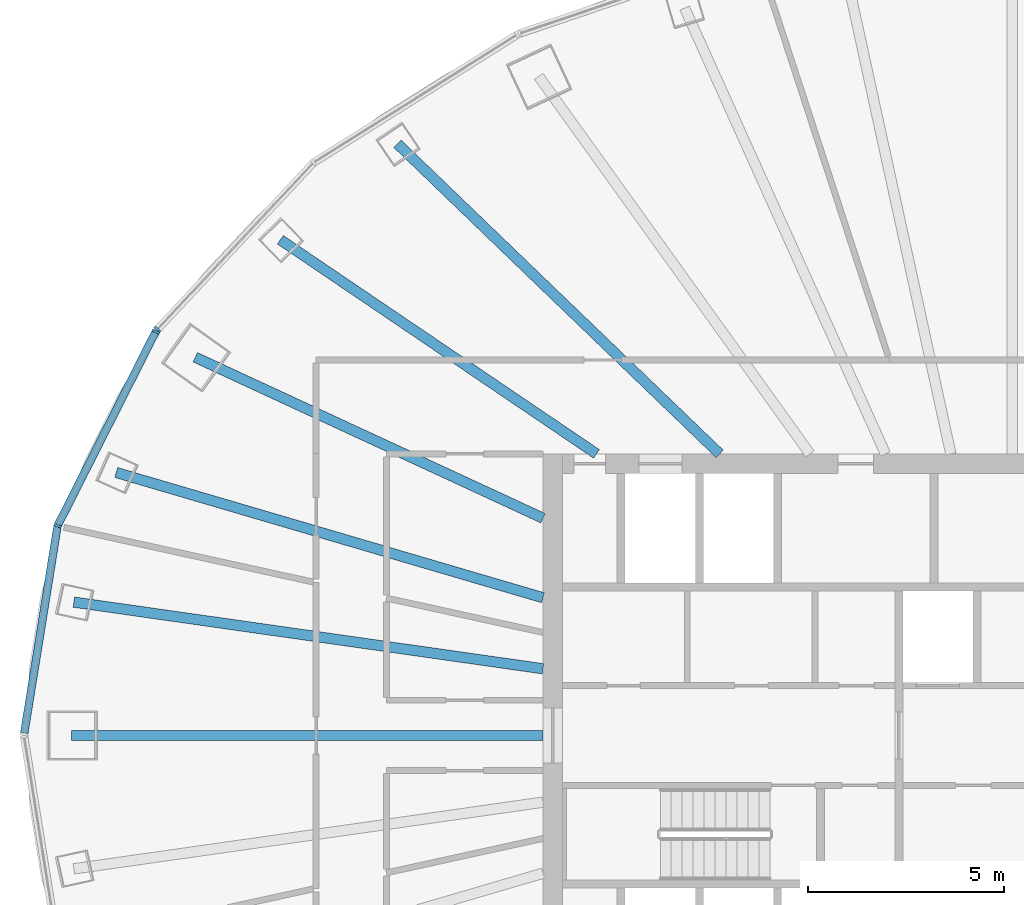
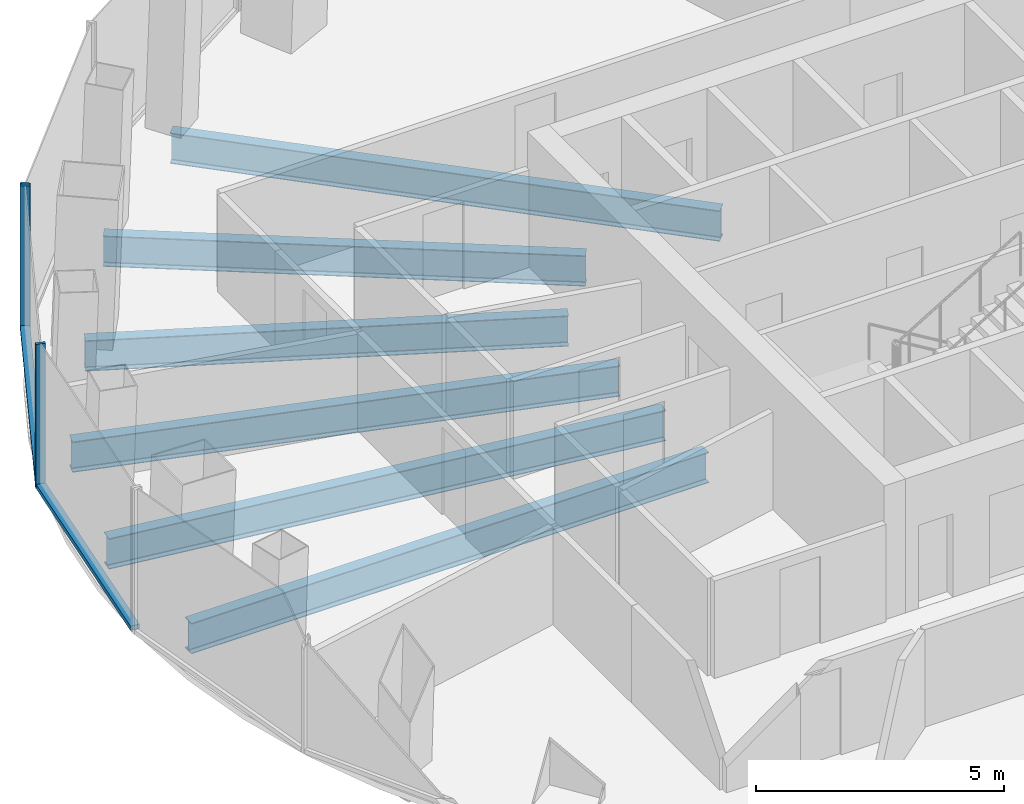
# One storey, part 3 of 11: 6 beams, 5 members, 2 elements without a shape of their own.
"""IFC4 building model written with IfcOpenShell, lengths in metres."""

from ifc_helpers import new_model, si_unit, direction, frame, origin, origin_2d, place, context, subcontext, project, spatial, rectangle, i_section, extrude, material, layer, layer_set, material_profile, profile_set, type_object, element, aggregate, save


model = new_model("IFC4")

# Units and contexts
model_context = context("Model", 3, precision=1e-05, world=origin(), true_north=direction((0.0, 1.0)))
body_context = subcontext(model_context, "Body", "Model", "MODEL_VIEW")
ifc_project = project(units=[si_unit("LENGTHUNIT", "METRE"), si_unit("AREAUNIT", "SQUARE_METRE"), si_unit("VOLUMEUNIT", "CUBIC_METRE"), si_unit("PLANEANGLEUNIT", "RADIAN"), si_unit("MASSUNIT", "GRAM", prefix="KILO")], contexts=[model_context])

# Site, building, storey
site_placement = place(None, origin())
site = spatial("IfcSite", under=ifc_project, at=site_placement, CompositionType="ELEMENT")
building_placement = place(site_placement, origin())
building = spatial("IfcBuilding", under=site, at=building_placement, Name="Siaravel Broadcast Tower", CompositionType="ELEMENT")
storey_placement = place(building_placement, frame((0.0, 0.0, 126.699951171875)))
storey = spatial("IfcBuildingStorey", under=building, at=storey_placement, Name="L30", CompositionType="ELEMENT", Elevation=126.699951171875)

# Beams
ifc_material_1 = material(Name="Steel S355", Category="steel")
ifc_material_profile_1 = material_profile(ifc_material_1, i_section(OverallWidth=0.26513671875, OverallDepth=0.75390625, WebThickness=0.0126953125, FlangeThickness=0.017578125, FilletRadius=0.0166015625, at=origin_2d()))
ifc_profile_set_1 = profile_set([ifc_material_profile_1], Name="Steel S355")
beam_type = type_object("IfcBeamType", Name="BM-UB 762x267x147", PredefinedType="BEAM", material=ifc_profile_set_1)
beam_1_placement = place(storey_placement, frame((-15.717529296875, 15.126220703125, -0.52685546875), z_axis=(0.720528871, -0.693424939, 0.0), x_axis=(0.693424939, 0.720528871, 0.0)))
element("IfcBeam", 1, at=beam_1_placement, inside=storey, type_object=beam_type, Name="Radial beam RB14", PredefinedType="BEAM", context=body_context, shape_type="SweptSolid", body=[
    extrude(i_section(OverallWidth=0.26513671875, OverallDepth=0.75390625, WebThickness=0.0126953125, FlangeThickness=0.017578125, FilletRadius=0.0166015625, at=origin_2d()), origin(), (0.0, 0.0, 1.0), 11.4306640625),
])
beam_2_placement = place(storey_placement, frame((-18.712646484375, 12.673095703125, -0.52685546875), z_axis=(0.827987622, -0.560746375, 0.0), x_axis=(0.560746375, 0.827987622, 0.0)))
element("IfcBeam", 2, at=beam_2_placement, inside=storey, type_object=beam_type, Name="Radial beam RB15", PredefinedType="BEAM", context=body_context, shape_type="SweptSolid", body=[
    extrude(i_section(OverallWidth=0.26513671875, OverallDepth=0.75390625, WebThickness=0.0126953125, FlangeThickness=0.017578125, FilletRadius=0.0166015625, at=origin_2d()), origin(), (0.0, 0.0, 1.0), 9.760498046875),
])
beam_3_placement = place(storey_placement, frame((-20.8876953125, 9.66943359375, -0.52685546875), z_axis=(0.907483098, -0.420088594, 0.0), x_axis=(0.420088594, 0.907483098, 0.0)))
element("IfcBeam", 3, at=beam_3_placement, inside=storey, type_object=beam_type, Name="Radial beam RB16", PredefinedType="BEAM", context=body_context, shape_type="SweptSolid", body=[
    extrude(i_section(OverallWidth=0.26513671875, OverallDepth=0.75390625, WebThickness=0.0126953125, FlangeThickness=0.017578125, FilletRadius=0.0166015625, at=origin_2d()), origin(), (0.0, 0.0, 1.0), 9.793701171875),
])
beam_4_placement = place(storey_placement, frame((-22.908935546875, 6.722900390625, -0.52685546875), z_axis=(0.959534251, -0.28159194, 0.0), x_axis=(0.28159194, 0.959534251, 0.0)))
element("IfcBeam", 4, at=beam_4_placement, inside=storey, type_object=beam_type, Name="Radial beam RB17", PredefinedType="BEAM", context=body_context, shape_type="SweptSolid", body=[
    extrude(i_section(OverallWidth=0.26513671875, OverallDepth=0.75390625, WebThickness=0.0126953125, FlangeThickness=0.017578125, FilletRadius=0.0166015625, at=origin_2d()), origin(), (0.0, 0.0, 1.0), 11.368896484375),
])
beam_5_placement = place(storey_placement, frame((-23.992919921875, 3.409912109375, -0.52685546875), z_axis=(0.990052421, -0.140698979, 0.0), x_axis=(0.140698979, 0.990052421, 0.0)))
element("IfcBeam", 5, at=beam_5_placement, inside=storey, type_object=beam_type, Name="Radial beam RB18", PredefinedType="BEAM", context=body_context, shape_type="SweptSolid", body=[
    extrude(i_section(OverallWidth=0.26513671875, OverallDepth=0.75390625, WebThickness=0.0126953125, FlangeThickness=0.017578125, FilletRadius=0.0166015625, at=origin_2d()), origin(), (0.0, 0.0, 1.0), 12.113525390625),
])
beam_6_placement = place(storey_placement, frame((-24.05712890625, 0.0, -0.52685546875), z_axis=(1.0, 0.0, 0.0), x_axis=(0.0, 1.0, 0.0)))
element("IfcBeam", 6, at=beam_6_placement, inside=storey, type_object=beam_type, Name="Radial beam RB19", PredefinedType="BEAM", context=body_context, shape_type="SweptSolid", body=[
    extrude(i_section(OverallWidth=0.26513671875, OverallDepth=0.75390625, WebThickness=0.0126953125, FlangeThickness=0.017578125, FilletRadius=0.0166015625, at=origin_2d()), origin(), (0.0, 0.0, 1.0), 12.05712890625),
])

# Curtain wall, member
ifc_material_2 = material(Name="Aluminium 6063-T6", Category="aluminium")
ifc_layer = layer(ifc_material_2, 0.199951171875)
ifc_layer_set = layer_set([ifc_layer], Name="Aluminium 6063-T6")
curtain_wall_type = type_object("IfcCurtainWallType", Name="Unitised curtain wall, zone 2", PredefinedType="NOTDEFINED", material=ifc_layer_set)
curtain_wall_1_placement = place(storey_placement, origin())
curtain_wall_1 = element("IfcCurtainWall", 7, at=curtain_wall_1_placement, inside=storey, type_object=curtain_wall_type, Name="L30 Unitised curtain wall, zone 2 05", PredefinedType="NOTDEFINED")
ifc_material_profile_2 = material_profile(ifc_material_2, rectangle(XDim=0.199951171875, YDim=0.06494140625, at=origin_2d()))
ifc_profile_set_2 = profile_set([ifc_material_profile_2], Name="Aluminium 6063-T6")
member_type_1 = type_object("IfcMemberType", Name="CW-Z2 mullion", PredefinedType="MULLION", material=ifc_profile_set_2)
member_1_placement = place(storey_placement, frame((-21.86083984375, 10.382080078125, 0.0), z_axis=(0.0, 0.0, 1.0), x_axis=(0.729805105, -0.683655256, 0.0)))
member_1 = element("IfcMember", 8, at=member_1_placement, type_object=member_type_1, Name="CW-Z2 mullion 3", PredefinedType="MULLION", context=body_context, shape_type="SweptSolid", body=[
    extrude(rectangle(XDim=0.199951171875, YDim=0.06494140625, at=origin_2d()), origin(), (0.0, 0.0, 1.0), 3.550048828125),
])
aggregate(curtain_wall_1, [member_1])

# Curtain wall, members
curtain_wall_2_placement = place(storey_placement, origin())
curtain_wall_2 = element("IfcCurtainWall", 9, at=curtain_wall_2_placement, inside=storey, type_object=curtain_wall_type, Name="L30 Unitised curtain wall, zone 2 06", PredefinedType="NOTDEFINED")
member_2_placement = place(storey_placement, frame((-21.897705078125, 10.329345703125, 0.0), z_axis=(0.0, 0.0, 1.0), x_axis=(0.892391979, -0.451261073, 0.0)))
member_2 = element("IfcMember", 10, at=member_2_placement, type_object=member_type_1, Name="CW-Z2 mullion 1", PredefinedType="MULLION", context=body_context, shape_type="SweptSolid", body=[
    extrude(rectangle(XDim=0.199951171875, YDim=0.06494140625, at=origin_2d()), origin(), (0.0, 0.0, 1.0), 3.550048828125),
])
member_3_placement = place(storey_placement, frame((-24.4091796875, 5.362548828125, 0.0), z_axis=(0.0, 0.0, 1.0), x_axis=(0.951177162, -0.308645439, 0.0)))
member_3 = element("IfcMember", 11, at=member_3_placement, type_object=member_type_1, Name="CW-Z2 mullion 2", PredefinedType="MULLION", context=body_context, shape_type="SweptSolid", body=[
    extrude(rectangle(XDim=0.199951171875, YDim=0.06494140625, at=origin_2d()), origin(), (0.0, 0.0, 1.0), 3.550048828125),
])
ifc_material_profile_3 = material_profile(ifc_material_2, rectangle(XDim=0.199951171875, YDim=0.110107421875, at=origin_2d()))
ifc_profile_set_3 = profile_set([ifc_material_profile_3], Name="Aluminium 6063-T6")
member_type_2 = type_object("IfcMemberType", Name="CW-Z2 transom", PredefinedType="USERDEFINED", material=ifc_profile_set_3)
member_4_placement = place(storey_placement, frame((-21.912353515625, 10.30029296875, 0.054931640625), z_axis=(-0.451256879, -0.8923941, 0.0), x_axis=(0.8923941, -0.451256879, 0.0)))
member_4 = element("IfcMember", 12, at=member_4_placement, type_object=member_type_2, Name="CW-Z2 transom 1", ObjectType="TRANSOM", PredefinedType="USERDEFINED", context=body_context, shape_type="SweptSolid", body=[
    extrude(rectangle(XDim=0.199951171875, YDim=0.110107421875, at=origin_2d()), origin(), (0.0, 0.0, 1.0), 5.50048828125),
])
member_5_placement = place(storey_placement, frame((-24.414306640625, 5.330322265625, 0.054931640625), z_axis=(-0.158695625, -0.987327554, 0.0), x_axis=(0.987327554, -0.158695625, 0.0)))
member_5 = element("IfcMember", 13, at=member_5_placement, type_object=member_type_2, Name="CW-Z2 transom 2", ObjectType="TRANSOM", PredefinedType="USERDEFINED", context=body_context, shape_type="SweptSolid", body=[
    extrude(rectangle(XDim=0.199951171875, YDim=0.110107421875, at=origin_2d()), origin(), (0.0, 0.0, 1.0), 5.333740234375),
])
aggregate(curtain_wall_2, [member_2, member_3, member_4, member_5])

save(model, "model.ifc")
